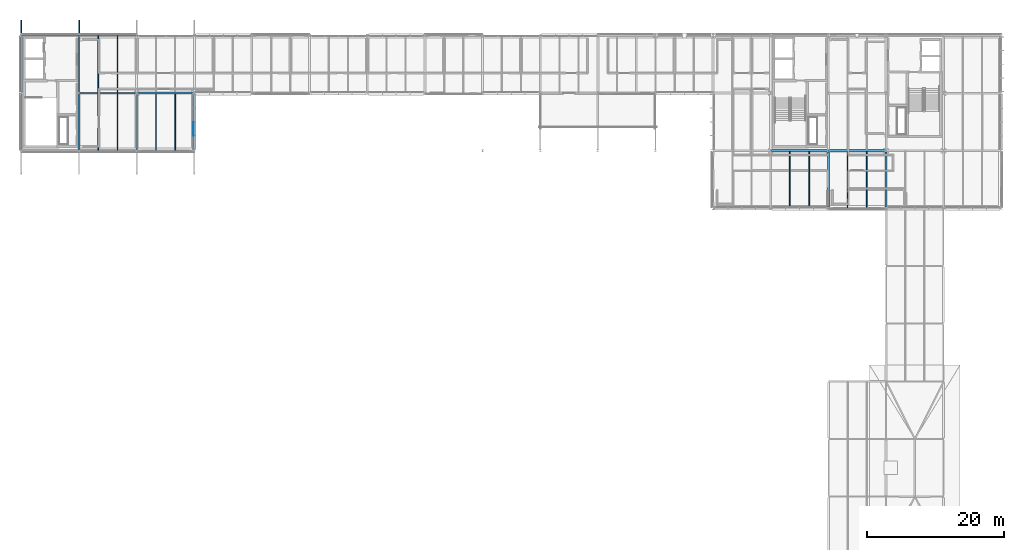
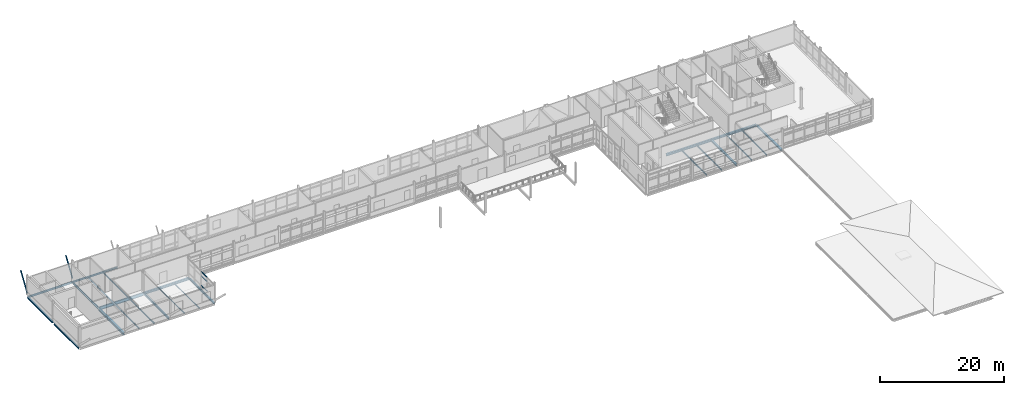
# One storey, part 14 of 57: 24 beams, 6 members, 1 element without a shape of its own.
"""IFC4 building model written with IfcOpenShell, lengths in metres."""

import ifcopenshell
import ifcopenshell.guid

model = None  # the IFC model being written
_history = None  # IfcOwnerHistory: only IFC2X3 demands one
_inside = {}  # id of a spatial element -> (the spatial element, [elements in it])
_under = {}  # id of a project, library or spatial element -> (it, [spatial elements below it])
_declared = {}  # id of a project -> (the project, [libraries it declares])
_typed = {}  # id of a type object -> (the type object, [elements of that type])
_made_of = {}  # id of a material, layer set ... -> (it, [elements and type objects made of it])


def new_model(schema):
    """Start an empty IFC model of exactly this schema.

    Asked for "IFC4X3", IfcOpenShell would pick the latest addendum, in which some entities
    have other attributes; the version numbers below select the first issue.
    IFC2X3 requires an IfcOwnerHistory on every rooted entity: one is made here for all.
    """
    global model, _history
    if schema == "IFC4X3":
        model = ifcopenshell.file(schema_version=(4, 3, 0, 0))
    else:
        model = ifcopenshell.file(schema=schema)
    _inside.clear()
    _under.clear()
    _declared.clear()
    _typed.clear()
    _made_of.clear()
    _history = None
    if model.schema == "IFC2X3":
        org = make("IfcOrganization", Name="unknown")
        user = make(
            "IfcPersonAndOrganization",
            ThePerson=make("IfcPerson", FamilyName="unknown"),
            TheOrganization=org,
        )
        app = make(
            "IfcApplication",
            ApplicationDeveloper=org,
            Version="unknown",
            ApplicationFullName="unknown",
            ApplicationIdentifier="unknown",
        )
        _history = make(
            "IfcOwnerHistory",
            OwningUser=user,
            OwningApplication=app,
            ChangeAction="ADDED",
            CreationDate=0,
        )
    return model


def make(cls, **values):
    """One entity of the class cls with the attributes given. An attribute that is None is left unset."""
    return model.create_entity(
        cls, **{name: value for name, value in values.items() if value is not None}
    )


def rooted(cls, **values):
    """An entity with a GlobalId (a new one), such as an element, a storey or a relation."""
    return make(cls, GlobalId=ifcopenshell.guid.new(), OwnerHistory=_history, **values)


def si_unit(unit_type, name, prefix=None):
    """IfcSIUnit, for example si_unit("LENGTHUNIT", "METRE", prefix="MILLI")."""
    return make("IfcSIUnit", UnitType=unit_type, Prefix=prefix, Name=name)


def assignment(units):
    """IfcUnitAssignment: the units of a project."""
    return None if units is None else make("IfcUnitAssignment", Units=units)


def point(xyz):
    """IfcCartesianPoint."""
    return None if xyz is None else make("IfcCartesianPoint", Coordinates=xyz)


def direction(xyz):
    """IfcDirection."""
    return None if xyz is None else make("IfcDirection", DirectionRatios=xyz)


def frame(location, z_axis=None, x_axis=None):
    """IfcAxis2Placement3D, a coordinate frame: its origin and axes. An axis left out is left unset."""
    return make(
        "IfcAxis2Placement3D",
        Location=point(location),
        Axis=direction(z_axis),
        RefDirection=direction(x_axis),
    )


def frame_2d(location, x_axis=None):
    """IfcAxis2Placement2D, a coordinate frame in the plane: its origin and x axis."""
    return make(
        "IfcAxis2Placement2D", Location=point(location), RefDirection=direction(x_axis)
    )


def origin():
    """The frame at (0, 0, 0) with its axes left unset."""
    return frame((0.0, 0.0, 0.0))


def origin_2d():
    """The frame at (0, 0) in the plane with its x axis left unset."""
    return frame_2d((0.0, 0.0))


def place(relative_to, where):
    """IfcLocalPlacement: puts the frame where relative to a parent placement (None: the world)."""
    return make(
        "IfcLocalPlacement", PlacementRelTo=relative_to, RelativePlacement=where
    )


def context(
    kind, dimensions, precision=None, world=None, true_north=None, identifier=None
):
    """IfcGeometricRepresentationContext, for example the 3D "Model" context."""
    return make(
        "IfcGeometricRepresentationContext",
        ContextIdentifier=identifier,
        ContextType=kind,
        CoordinateSpaceDimension=dimensions,
        Precision=precision,
        WorldCoordinateSystem=world,
        TrueNorth=true_north,
    )


def subcontext(parent, identifier, kind, view, scale=None):
    """IfcGeometricRepresentationSubContext, for example "Body" below "Model"."""
    return make(
        "IfcGeometricRepresentationSubContext",
        ContextIdentifier=identifier,
        ContextType=kind,
        ParentContext=parent,
        TargetScale=scale,
        TargetView=view,
    )


def project(units=None, contexts=None):
    """IfcProject with its units and contexts."""
    return rooted(
        "IfcProject",
        Name="project",
        RepresentationContexts=contexts,
        UnitsInContext=assignment(units),
    )


def spatial(cls, under=None, at=None, **own):
    """A site, building, storey or space (cls), placed at a placement, below another one or the project."""
    s = rooted(cls, ObjectPlacement=at, **own)
    if under is not None:
        _under.setdefault(under.id(), (under, []))[1].append(s)
    return s


def profile(cls, at=None, kind="AREA", **sizes):
    """A parametric profile (cls). Its sizes go by their IFC names, for example OverallWidth=200.0."""
    return make(cls, ProfileType=kind, Position=at, **sizes)


def hollow_rectangle(**sizes):
    """IfcRectangleHollowProfileDef."""
    return profile("IfcRectangleHollowProfileDef", **sizes)


def i_section(**sizes):
    """IfcIShapeProfileDef."""
    return profile("IfcIShapeProfileDef", **sizes)


def extrude(swept, where, along, depth):
    """IfcExtrudedAreaSolid: the profile swept, set in the frame where, extruded along a direction by depth."""
    return make(
        "IfcExtrudedAreaSolid",
        SweptArea=swept,
        Position=where,
        ExtrudedDirection=direction(along),
        Depth=depth,
    )


def shape(context_of_items, identifier, shape_type, items):
    """IfcShapeRepresentation: the items that make up one representation, for example the "Body"."""
    return make(
        "IfcShapeRepresentation",
        ContextOfItems=context_of_items,
        RepresentationIdentifier=identifier,
        RepresentationType=shape_type,
        Items=items,
    )


def material(Name=None, Category=None):
    """IfcMaterial."""
    return make("IfcMaterial", Name=Name, Category=Category)


def material_profile(
    of_material, cross_section, Name=None, Category=None, Priority=None
):
    """IfcMaterialProfile: a cross section and its material."""
    return make(
        "IfcMaterialProfile",
        Name=Name,
        Material=of_material,
        Profile=cross_section,
        Priority=Priority,
        Category=Category,
    )


def profile_set(profiles, Name=None, composite=None):
    """IfcMaterialProfileSet."""
    return make(
        "IfcMaterialProfileSet",
        Name=Name,
        MaterialProfiles=profiles,
        CompositeProfile=composite,
    )


def made_of(thing, what):
    """Note that an element or type object is made of a material, layer set ...; save() writes the relation."""
    if what is not None:
        _made_of.setdefault(what.id(), (what, []))[1].append(thing)
    return thing


def type_object(cls, material=None, **own):
    """A type object (cls), such as IfcWallType, which elements share."""
    return made_of(rooted(cls, **own), material)


def element(
    cls,
    number,
    at=None,
    inside=None,
    cuts=None,
    type_object=None,
    material=None,
    context=None,
    identifier="Body",
    shape_type=None,
    held_by="IfcProductDefinitionShape",
    body=None,
    shapes=None,
    **own,
):
    """One element of the class cls, such as IfcWall. Its Tag is "e" and its number.

    at: its placement. inside: the storey or other place that contains it. cuts: it is an
    opening in that element (IfcRelVoidsElement). A single representation is given by context,
    identifier, shape_type and body (its items); several are given by shapes. held_by: the class
    of the entity that holds the representations. save() writes the other relations.
    """
    e = rooted(cls, Tag="e%d" % number, ObjectPlacement=at, **own)
    if body is not None:
        shapes = [shape(context, identifier, shape_type, body)]
    if shapes is not None:
        e.Representation = make(held_by, Representations=shapes)
    if inside is not None:
        _inside.setdefault(inside.id(), (inside, []))[1].append(e)
    if cuts is not None:
        rooted(
            "IfcRelVoidsElement", RelatingBuildingElement=cuts, RelatedOpeningElement=e
        )
    if type_object is not None:
        _typed.setdefault(type_object.id(), (type_object, []))[1].append(e)
    return made_of(e, material)


def aggregate(whole, parts):
    """IfcRelAggregates: a whole, such as a stair, and the parts it consists of."""
    return rooted("IfcRelAggregates", RelatingObject=whole, RelatedObjects=parts)


def save(model, path):
    """Write the relations noted so far, then the file.

    IfcRelAggregates (storeys below a building ...), IfcRelContainedInSpatialStructure (elements
    in a storey), IfcRelDefinesByType, IfcRelAssociatesMaterial and IfcRelDeclares: one each for
    every whole, place, type object, material and project.
    """
    for whole, parts in _under.values():
        aggregate(whole, parts)
    for where, things in _inside.values():
        rooted(
            "IfcRelContainedInSpatialStructure",
            RelatedElements=things,
            RelatingStructure=where,
        )
    for kind, things in _typed.values():
        rooted("IfcRelDefinesByType", RelatedObjects=things, RelatingType=kind)
    for what, things in _made_of.values():
        rooted("IfcRelAssociatesMaterial", RelatedObjects=things, RelatingMaterial=what)
    for by, libraries in _declared.values():
        rooted("IfcRelDeclares", RelatingContext=by, RelatedDefinitions=libraries)
    model.write(path)


model = new_model("IFC4")

# Units and contexts
model_context = context("Model", 3, precision=1e-05, world=origin(), true_north=direction((0.0, 1.0)))
body_context = subcontext(model_context, "Body", "Model", "MODEL_VIEW")
ifc_project = project(units=[si_unit("LENGTHUNIT", "METRE"), si_unit("AREAUNIT", "SQUARE_METRE"), si_unit("VOLUMEUNIT", "CUBIC_METRE"), si_unit("PLANEANGLEUNIT", "RADIAN"), si_unit("MASSUNIT", "GRAM", prefix="KILO")], contexts=[model_context])

# Site, building, storey
site_placement = place(None, origin())
site = spatial("IfcSite", under=ifc_project, at=site_placement, CompositionType="ELEMENT")
building_placement = place(site_placement, origin())
building = spatial("IfcBuilding", under=site, at=building_placement, Name="Mersafa Astral City Hall", CompositionType="ELEMENT")
storey_placement = place(building_placement, frame((0.0, 0.0, 26.10009765625)))
storey = spatial("IfcBuildingStorey", under=building, at=storey_placement, Name="L06", CompositionType="ELEMENT", Elevation=26.10009765625)

# Curtain wall, members
ifc_material_1 = material(Name="Anodised bronze aluminium framing", Category="aluminium")
curtain_wall_type = type_object("IfcCurtainWallType", Name="ENV-CW-6", PredefinedType="USERDEFINED", material=ifc_material_1)
curtain_wall_placement = place(storey_placement, origin())
curtain_wall = element("IfcCurtainWall", 1, at=curtain_wall_placement, inside=storey, type_object=curtain_wall_type, Name="L06 Unitised solar curtain wall 263", ObjectType="UNITISED CURTAIN WALL", PredefinedType="USERDEFINED")
ifc_material_profile_1 = material_profile(ifc_material_1, hollow_rectangle(XDim=0.06005859375, YDim=0.139892578125, WallThickness=0.00390625, at=origin_2d()), Name="RHS 60x140x4")
ifc_profile_set_1 = profile_set([ifc_material_profile_1], Name="Anodised bronze aluminium framing")
member_type_1 = type_object("IfcMemberType", Name="ENV-CW-TRN-1", PredefinedType="USERDEFINED", material=ifc_profile_set_1)
member_1_placement = place(storey_placement, frame((67.080078125, 111.410888671875, 0.02783203125), z_axis=(0.0, 1.0, 0.0), x_axis=(-1.0, 0.0, 0.0)))
member_1 = element("IfcMember", 2, at=member_1_placement, type_object=member_type_1, Name="CW-6 transom 2.1", ObjectType="TRANSOM", PredefinedType="USERDEFINED", context=body_context, shape_type="SweptSolid", body=[
    extrude(hollow_rectangle(XDim=0.06005859375, YDim=0.139892578125, WallThickness=0.00390625, at=origin_2d()), origin(), (0.0, 0.0, 1.0), 1.959228515625),
])
member_2_placement = place(storey_placement, frame((67.080078125, 111.410888671875, 0.849853515625), z_axis=(0.0, 1.0, 0.0), x_axis=(-1.0, 0.0, 0.0)))
member_2 = element("IfcMember", 3, at=member_2_placement, type_object=member_type_1, Name="CW-6 transom 2.2", ObjectType="TRANSOM", PredefinedType="USERDEFINED", context=body_context, shape_type="SweptSolid", body=[
    extrude(hollow_rectangle(XDim=0.06005859375, YDim=0.139892578125, WallThickness=0.00390625, at=origin_2d()), origin(), (0.0, 0.0, 1.0), 1.959228515625),
])
member_3_placement = place(storey_placement, frame((67.080078125, 111.410888671875, 2.75), z_axis=(0.0, 1.0, 0.0), x_axis=(-1.0, 0.0, 0.0)))
member_3 = element("IfcMember", 4, at=member_3_placement, type_object=member_type_1, Name="CW-6 transom 2.3", ObjectType="TRANSOM", PredefinedType="USERDEFINED", context=body_context, shape_type="SweptSolid", body=[
    extrude(hollow_rectangle(XDim=0.06005859375, YDim=0.139892578125, WallThickness=0.00390625, at=origin_2d()), origin(), (0.0, 0.0, 1.0), 1.959228515625),
])
member_4_placement = place(storey_placement, frame((67.080078125, 111.410888671875, 3.572021484375), z_axis=(0.0, 1.0, 0.0), x_axis=(-1.0, 0.0, 0.0)))
member_4 = element("IfcMember", 5, at=member_4_placement, type_object=member_type_1, Name="CW-6 transom 2.4", ObjectType="TRANSOM", PredefinedType="USERDEFINED", context=body_context, shape_type="SweptSolid", body=[
    extrude(hollow_rectangle(XDim=0.06005859375, YDim=0.139892578125, WallThickness=0.00390625, at=origin_2d()), origin(), (0.0, 0.0, 1.0), 1.959228515625),
])
aggregate(curtain_wall, [member_1, member_2, member_3, member_4])

# Beams
ifc_material_2 = material(Name="Steel S355", Category="steel")
ifc_material_profile_2 = material_profile(ifc_material_2, i_section(OverallWidth=0.300048828125, OverallDepth=0.31005859375, WebThickness=0.009033203125, FlangeThickness=0.015380859375, FilletRadius=0.027099609375, at=origin_2d()), Name="HEA 320")
ifc_profile_set_2 = profile_set([ifc_material_profile_2], Name="Steel S355")
beam_type_1 = type_object("IfcBeamType", Name="STR-BM-HEA320", PredefinedType="BEAM", material=ifc_profile_set_2)
beam_1_placement = place(storey_placement, frame((168.0, 100.9951171875, -0.330078125), z_axis=(0.0, 1.0, 0.0), x_axis=(-1.0, 0.0, 0.0)))
element("IfcBeam", 6, at=beam_1_placement, inside=storey, type_object=beam_type_1, Name="L06 Primary girder Y 20-12", PredefinedType="BEAM", context=body_context, shape_type="SweptSolid", body=[
    extrude(i_section(OverallWidth=0.300048828125, OverallDepth=0.31005859375, WebThickness=0.009033203125, FlangeThickness=0.015380859375, FilletRadius=0.027099609375, at=origin_2d()), origin(), (0.0, 0.0, 1.0), 8.009765625),
])
ifc_material_profile_3 = material_profile(ifc_material_2, i_section(OverallWidth=0.300048828125, OverallDepth=0.35009765625, WebThickness=0.010009765625, FlangeThickness=0.017578125, FilletRadius=0.027099609375, at=origin_2d()), Name="HEA 360")
ifc_profile_set_3 = profile_set([ifc_material_profile_3], Name="Steel S355")
beam_type_2 = type_object("IfcBeamType", Name="STR-BM-HEA360", PredefinedType="BEAM", material=ifc_profile_set_3)
beam_2_placement = place(storey_placement, frame((159.60009765625, 100.9951171875, -0.35009765625), z_axis=(0.0, 1.0, 0.0), x_axis=(-1.0, 0.0, 0.0)))
element("IfcBeam", 7, at=beam_2_placement, inside=storey, type_object=beam_type_2, Name="L06 Primary girder Y 19-12", PredefinedType="BEAM", context=body_context, shape_type="SweptSolid", body=[
    extrude(i_section(OverallWidth=0.300048828125, OverallDepth=0.35009765625, WebThickness=0.010009765625, FlangeThickness=0.017578125, FilletRadius=0.027099609375, at=origin_2d()), origin(), (0.0, 0.0, 1.0), 8.009765625),
])
ifc_material_profile_4 = material_profile(ifc_material_2, i_section(OverallWidth=0.300048828125, OverallDepth=0.389892578125, WebThickness=0.010986328125, FlangeThickness=0.01904296875, FilletRadius=0.027099609375, at=origin_2d()), Name="HEA 400")
ifc_profile_set_4 = profile_set([ifc_material_profile_4], Name="Steel S355")
beam_type_3 = type_object("IfcBeamType", Name="STR-BM-HEA400", PredefinedType="BEAM", material=ifc_profile_set_4)
beam_3_placement = place(storey_placement, frame((159.60302734375, 109.199951171875, -0.3701171875), z_axis=(1.0, 0.0, 0.0), x_axis=(0.0, 1.0, 0.0)))
element("IfcBeam", 8, at=beam_3_placement, inside=storey, type_object=beam_type_3, Name="L06 Primary girder X 19-13", PredefinedType="BEAM", context=body_context, shape_type="SweptSolid", body=[
    extrude(i_section(OverallWidth=0.300048828125, OverallDepth=0.389892578125, WebThickness=0.010986328125, FlangeThickness=0.01904296875, FilletRadius=0.027099609375, at=origin_2d()), origin(), (0.0, 0.0, 1.0), 8.39404296875),
])
ifc_material_profile_5 = material_profile(ifc_material_2, i_section(OverallWidth=0.300048828125, OverallDepth=0.43994140625, WebThickness=0.011474609375, FlangeThickness=0.02099609375, FilletRadius=0.027099609375, at=origin_2d()), Name="HEA 450")
ifc_profile_set_5 = profile_set([ifc_material_profile_5], Name="Steel S355")
beam_type_4 = type_object("IfcBeamType", Name="STR-BM-HEA450", PredefinedType="BEAM", material=ifc_profile_set_5)
for number, where, z_axis, x_axis, name in (
    (9, (151.202880859375, 109.199951171875, -0.39501953125), (1.0, 0.0, 0.0), (0.0, 1.0, 0.0), "L06 Primary girder X 18-13"),
    (10, (58.802978515625, 117.60009765625, -0.39501953125), (1.0, 0.0, 0.0), (0.0, 1.0, 0.0), "L06 Primary girder X 7-14"),
):
    element("IfcBeam", number, at=place(storey_placement, frame(where, z_axis=z_axis, x_axis=x_axis)), inside=storey, type_object=beam_type_4, Name=name, PredefinedType="BEAM", context=body_context, shape_type="SweptSolid", body=[
        extrude(i_section(OverallWidth=0.300048828125, OverallDepth=0.43994140625, WebThickness=0.011474609375, FlangeThickness=0.02099609375, FilletRadius=0.027099609375, at=origin_2d()), origin(), (0.0, 0.0, 1.0), 8.39404296875),
    ])
ifc_material_profile_6 = material_profile(ifc_material_2, i_section(OverallWidth=0.300048828125, OverallDepth=0.489990234375, WebThickness=0.011962890625, FlangeThickness=0.02294921875, FilletRadius=0.027099609375, at=origin_2d()), Name="HEA 500")
ifc_profile_set_6 = profile_set([ifc_material_profile_6], Name="Steel S355")
beam_type_5 = type_object("IfcBeamType", Name="STR-BM-HEA500", PredefinedType="BEAM", material=ifc_profile_set_6)
beam_4_placement = place(storey_placement, frame((50.39990234375, 109.364990234375, -0.420166015625), z_axis=(0.0, 1.0, 0.0), x_axis=(-1.0, 0.0, 0.0)))
element("IfcBeam", 11, at=beam_4_placement, inside=storey, type_object=beam_type_5, Name="L06 Primary girder Y 6-13", PredefinedType="BEAM", context=body_context, shape_type="SweptSolid", body=[
    extrude(i_section(OverallWidth=0.300048828125, OverallDepth=0.489990234375, WebThickness=0.011962890625, FlangeThickness=0.02294921875, FilletRadius=0.027099609375, at=origin_2d()), origin(), (0.0, 0.0, 1.0), 8.06005859375),
])
ifc_material_profile_7 = material_profile(ifc_material_2, i_section(OverallWidth=0.179931640625, OverallDepth=0.39990234375, WebThickness=0.008544921875, FlangeThickness=0.013427734375, FilletRadius=0.02099609375, at=origin_2d()), Name="IPE 400")
ifc_profile_set_7 = profile_set([ifc_material_profile_7], Name="Steel S355")
beam_type_6 = type_object("IfcBeamType", Name="STR-BM-IPE400", PredefinedType="BEAM", material=ifc_profile_set_7)
for number, where, z_axis, x_axis, name in (
    (12, (50.39990234375, 117.77490234375, -0.375), (0.0, 1.0, 0.0), (-1.0, 0.0, 0.0), "L06 Primary girder Y 6-14"),
    (13, (58.800048828125, 109.375, -0.375), (0.0, 1.0, 0.0), (-1.0, 0.0, 0.0), "L06 Primary girder Y 7-13"),
):
    element("IfcBeam", number, at=place(storey_placement, frame(where, z_axis=z_axis, x_axis=x_axis)), inside=storey, type_object=beam_type_6, Name=name, PredefinedType="BEAM", context=body_context, shape_type="SweptSolid", body=[
        extrude(i_section(OverallWidth=0.179931640625, OverallDepth=0.39990234375, WebThickness=0.008544921875, FlangeThickness=0.013427734375, FilletRadius=0.02099609375, at=origin_2d()), origin(), (0.0, 0.0, 1.0), 8.06005859375),
    ])
ifc_material_profile_8 = material_profile(ifc_material_2, i_section(OverallWidth=0.219970703125, OverallDepth=0.60009765625, WebThickness=0.011962890625, FlangeThickness=0.01904296875, FilletRadius=0.02392578125, at=origin_2d()), Name="IPE 600")
ifc_profile_set_8 = profile_set([ifc_material_profile_8], Name="Steel S355")
beam_type_7 = type_object("IfcBeamType", Name="STR-BM-IPE600", PredefinedType="BEAM", material=ifc_profile_set_8)
beam_5_placement = place(storey_placement, frame((50.403076171875, 117.60009765625, -0.47509765625), z_axis=(1.0, 0.0, 0.0), x_axis=(0.0, 1.0, 0.0)))
element("IfcBeam", 14, at=beam_5_placement, inside=storey, type_object=beam_type_7, Name="L06 Primary girder X 6-14", PredefinedType="BEAM", context=body_context, shape_type="SweptSolid", body=[
    extrude(i_section(OverallWidth=0.219970703125, OverallDepth=0.60009765625, WebThickness=0.011962890625, FlangeThickness=0.01904296875, FilletRadius=0.02392578125, at=origin_2d()), origin(), (0.0, 0.0, 1.0), 8.39404296875),
])
ifc_material_profile_9 = material_profile(ifc_material_2, i_section(OverallWidth=0.110107421875, OverallDepth=0.219970703125, WebThickness=0.005859375, FlangeThickness=0.00927734375, FilletRadius=0.011962890625, at=origin_2d()), Name="IPE 220")
ifc_profile_set_9 = profile_set([ifc_material_profile_9], Name="Steel S355")
beam_type_8 = type_object("IfcBeamType", Name="STR-BM-JOIST-IPE220", PredefinedType="JOIST", material=ifc_profile_set_9)
for number, where, z_axis, x_axis, name in (
    (15, (53.199951171875, 117.705078125, -0.28515625), (0.0, 1.0, 0.0), (-1.0, 0.0, 0.0), "L06 Composite secondary floor joist 842"),
    (16, (56.0, 117.705078125, -0.28515625), (0.0, 1.0, 0.0), (-1.0, 0.0, 0.0), "L06 Composite secondary floor joist 843"),
):
    element("IfcBeam", number, at=place(storey_placement, frame(where, z_axis=z_axis, x_axis=x_axis)), inside=storey, type_object=beam_type_8, Name=name, PredefinedType="JOIST", context=body_context, shape_type="SweptSolid", body=[
        extrude(i_section(OverallWidth=0.110107421875, OverallDepth=0.219970703125, WebThickness=0.005859375, FlangeThickness=0.00927734375, FilletRadius=0.011962890625, at=origin_2d()), origin(), (0.0, 0.0, 1.0), 8.219970703125),
    ])
for number, where, z_axis, x_axis, name in (
    (17, (61.60009765625, 109.280029296875, -0.28515625), (0.0, 1.0, 0.0), (-1.0, 0.0, 0.0), "L06 Composite secondary floor joist 844"),
    (18, (64.39990234375, 109.280029296875, -0.28515625), (0.0, 1.0, 0.0), (-1.0, 0.0, 0.0), "L06 Composite secondary floor joist 845"),
):
    element("IfcBeam", number, at=place(storey_placement, frame(where, z_axis=z_axis, x_axis=x_axis)), inside=storey, type_object=beam_type_8, Name=name, PredefinedType="JOIST", context=body_context, shape_type="SweptSolid", body=[
        extrude(i_section(OverallWidth=0.110107421875, OverallDepth=0.219970703125, WebThickness=0.005859375, FlangeThickness=0.00927734375, FilletRadius=0.011962890625, at=origin_2d()), origin(), (0.0, 0.0, 1.0), 8.175048828125),
    ])
ifc_material_profile_10 = material_profile(ifc_material_2, i_section(OverallWidth=0.1201171875, OverallDepth=0.239990234375, WebThickness=0.006103515625, FlangeThickness=0.009765625, FilletRadius=0.014892578125, at=origin_2d()), Name="IPE 240")
ifc_profile_set_10 = profile_set([ifc_material_profile_10], Name="Steel S355")
beam_type_9 = type_object("IfcBeamType", Name="STR-BM-JOIST-IPE240", PredefinedType="JOIST", material=ifc_profile_set_10)
for number, where, z_axis, x_axis, name in (
    (19, (53.199951171875, 109.27490234375, -0.295166015625), (0.0, 1.0, 0.0), (-1.0, 0.0, 0.0), "L06 Composite secondary floor joist 840"),
    (20, (56.0, 109.27490234375, -0.295166015625), (0.0, 1.0, 0.0), (-1.0, 0.0, 0.0), "L06 Composite secondary floor joist 841"),
):
    element("IfcBeam", number, at=place(storey_placement, frame(where, z_axis=z_axis, x_axis=x_axis)), inside=storey, type_object=beam_type_9, Name=name, PredefinedType="JOIST", context=body_context, shape_type="SweptSolid", body=[
        extrude(i_section(OverallWidth=0.1201171875, OverallDepth=0.239990234375, WebThickness=0.006103515625, FlangeThickness=0.009765625, FilletRadius=0.014892578125, at=origin_2d()), origin(), (0.0, 0.0, 1.0), 8.22021484375),
    ])
for number, where, z_axis, x_axis, name in (
    (21, (162.39990234375, 100.875, -0.295166015625), (0.0, 1.0, 0.0), (-1.0, 0.0, 0.0), "L06 Composite secondary floor joist 874"),
    (22, (165.199951171875, 100.875, -0.295166015625), (0.0, 1.0, 0.0), (-1.0, 0.0, 0.0), "L06 Composite secondary floor joist 875"),
):
    element("IfcBeam", number, at=place(storey_placement, frame(where, z_axis=z_axis, x_axis=x_axis)), inside=storey, type_object=beam_type_9, Name=name, PredefinedType="JOIST", context=body_context, shape_type="SweptSolid", body=[
        extrude(i_section(OverallWidth=0.1201171875, OverallDepth=0.239990234375, WebThickness=0.006103515625, FlangeThickness=0.009765625, FilletRadius=0.014892578125, at=origin_2d()), origin(), (0.0, 0.0, 1.0), 8.179931640625),
    ])
ifc_material_profile_11 = material_profile(ifc_material_2, i_section(OverallWidth=0.135009765625, OverallDepth=0.27001953125, WebThickness=0.006591796875, FlangeThickness=0.01025390625, FilletRadius=0.014892578125, at=origin_2d()), Name="IPE 270")
ifc_profile_set_11 = profile_set([ifc_material_profile_11], Name="Steel S355")
beam_type_10 = type_object("IfcBeamType", Name="STR-BM-JOIST-IPE270", PredefinedType="JOIST", material=ifc_profile_set_11)
for number, where, z_axis, x_axis, name in (
    (23, (154.0, 100.8798828125, -0.31005859375), (0.0, 1.0, 0.0), (-1.0, 0.0, 0.0), "L06 Composite secondary floor joist 872"),
    (24, (156.800048828125, 100.8798828125, -0.31005859375), (0.0, 1.0, 0.0), (-1.0, 0.0, 0.0), "L06 Composite secondary floor joist 873"),
):
    element("IfcBeam", number, at=place(storey_placement, frame(where, z_axis=z_axis, x_axis=x_axis)), inside=storey, type_object=beam_type_10, Name=name, PredefinedType="JOIST", context=body_context, shape_type="SweptSolid", body=[
        extrude(i_section(OverallWidth=0.135009765625, OverallDepth=0.27001953125, WebThickness=0.006591796875, FlangeThickness=0.01025390625, FilletRadius=0.014892578125, at=origin_2d()), origin(), (0.0, 0.0, 1.0), 8.175048828125),
    ])
ifc_material_profile_12 = material_profile(ifc_material_2, i_section(OverallWidth=0.280029296875, OverallDepth=0.27001953125, WebThickness=0.008056640625, FlangeThickness=0.012939453125, FilletRadius=0.02392578125, at=origin_2d()), Name="HEA 280")
ifc_profile_set_12 = profile_set([ifc_material_profile_12], Name="Steel S355")
beam_type_11 = type_object("IfcBeamType", Name="STR-BM-SPANDREL-HEA280", PredefinedType="SPANDREL", material=ifc_profile_set_12)
for number, where, z_axis, x_axis, name in (
    (25, (42.0, 117.764892578125, -0.31005859375), (0.0, 1.0, 0.0), (-1.0, 0.0, 0.0), "L06 Primary girder Y 5-14"),
    (26, (67.199951171875, 109.364990234375, -0.31005859375), (0.0, 1.0, 0.0), (-1.0, 0.0, 0.0), "L06 Primary girder Y 8-13"),
):
    element("IfcBeam", number, at=place(storey_placement, frame(where, z_axis=z_axis, x_axis=x_axis)), inside=storey, type_object=beam_type_11, Name=name, PredefinedType="SPANDREL", context=body_context, shape_type="SweptSolid", body=[
        extrude(i_section(OverallWidth=0.280029296875, OverallDepth=0.27001953125, WebThickness=0.008056640625, FlangeThickness=0.012939453125, FilletRadius=0.02392578125, at=origin_2d()), origin(), (0.0, 0.0, 1.0), 8.06005859375),
    ])
ifc_material_profile_13 = material_profile(ifc_material_2, i_section(OverallWidth=0.159912109375, OverallDepth=0.330078125, WebThickness=0.007568359375, FlangeThickness=0.011474609375, FilletRadius=0.01806640625, at=origin_2d()), Name="IPE 330")
ifc_profile_set_13 = profile_set([ifc_material_profile_13], Name="Steel S355")
beam_type_12 = type_object("IfcBeamType", Name="STR-BM-SPANDREL-IPE330", PredefinedType="SPANDREL", material=ifc_profile_set_13)
beam_6_placement = place(storey_placement, frame((50.403076171875, 126.0, -0.340087890625), z_axis=(1.0, 0.0, 0.0), x_axis=(0.0, 1.0, 0.0)))
element("IfcBeam", 27, at=beam_6_placement, inside=storey, type_object=beam_type_12, Name="L06 Primary girder X 6-15", PredefinedType="SPANDREL", context=body_context, shape_type="SweptSolid", body=[
    extrude(i_section(OverallWidth=0.159912109375, OverallDepth=0.330078125, WebThickness=0.007568359375, FlangeThickness=0.011474609375, FilletRadius=0.01806640625, at=origin_2d()), origin(), (0.0, 0.0, 1.0), 8.39404296875),
])
ifc_material_profile_14 = material_profile(ifc_material_2, i_section(OverallWidth=0.169921875, OverallDepth=0.360107421875, WebThickness=0.008056640625, FlangeThickness=0.0126953125, FilletRadius=0.01806640625, at=origin_2d()), Name="IPE 360")
ifc_profile_set_14 = profile_set([ifc_material_profile_14], Name="Steel S355")
beam_type_13 = type_object("IfcBeamType", Name="STR-BM-SPANDREL-IPE360", PredefinedType="SPANDREL", material=ifc_profile_set_14)
beam_7_placement = place(storey_placement, frame((42.0029296875, 126.0, -0.35498046875), z_axis=(1.0, 0.0, 0.0), x_axis=(0.0, 1.0, 0.0)))
element("IfcBeam", 28, at=beam_7_placement, inside=storey, type_object=beam_type_13, Name="L06 Primary girder X 5-15", PredefinedType="SPANDREL", context=body_context, shape_type="SweptSolid", body=[
    extrude(i_section(OverallWidth=0.169921875, OverallDepth=0.360107421875, WebThickness=0.008056640625, FlangeThickness=0.0126953125, FilletRadius=0.01806640625, at=origin_2d()), origin(), (0.0, 0.0, 1.0), 8.39404296875),
])
beam_8_placement = place(storey_placement, frame((42.0, 109.375, -0.35498046875), z_axis=(0.0, 1.0, 0.0), x_axis=(-1.0, 0.0, 0.0)))
element("IfcBeam", 29, at=beam_8_placement, inside=storey, type_object=beam_type_13, Name="L06 Primary girder Y 5-13", PredefinedType="SPANDREL", context=body_context, shape_type="SweptSolid", body=[
    extrude(i_section(OverallWidth=0.169921875, OverallDepth=0.360107421875, WebThickness=0.008056640625, FlangeThickness=0.0126953125, FilletRadius=0.01806640625, at=origin_2d()), origin(), (0.0, 0.0, 1.0), 8.06005859375),
])

# Members
ifc_material_profile_15 = material_profile(ifc_material_2, hollow_rectangle(XDim=0.14990234375, YDim=0.25, WallThickness=0.010009765625, at=origin_2d()), Name="RHS 150x250x10")
ifc_profile_set_15 = profile_set([ifc_material_profile_15], Name="Steel S355")
member_type_2 = type_object("IfcMemberType", Name="STR-MBR-STRUT-RHS150X250", PredefinedType="BRACE", material=ifc_profile_set_15)
for number, where, z_axis, x_axis, name in (
    (30, (42.0, 126.0, 0.39990234375), (0.0, 0.552902229166, 0.833246137095), (-1.0, 0.0, 0.0), "L06 Raked cosmic eave strut ROOF-T5-V4N N-5"),
    (31, (50.39990234375, 126.0, 0.39990234375), (0.0, 0.552902229166, 0.833246137095), (-1.0, 0.0, 0.0), "L06 Raked cosmic eave strut ROOF-T5-V4N N-6"),
):
    element("IfcMember", number, at=place(storey_placement, frame(where, z_axis=z_axis, x_axis=x_axis)), inside=storey, type_object=member_type_2, Name=name, PredefinedType="BRACE", context=body_context, shape_type="SweptSolid", body=[
        extrude(hollow_rectangle(XDim=0.14990234375, YDim=0.25, WallThickness=0.010009765625, at=origin_2d()), origin(), (0.0, 0.0, 1.0), 3.888427734375),
    ])

save(model, "model.ifc")
